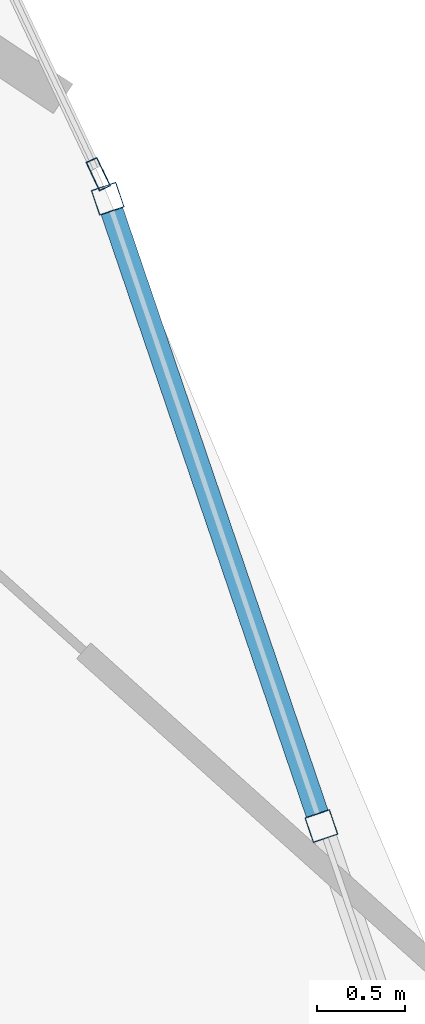
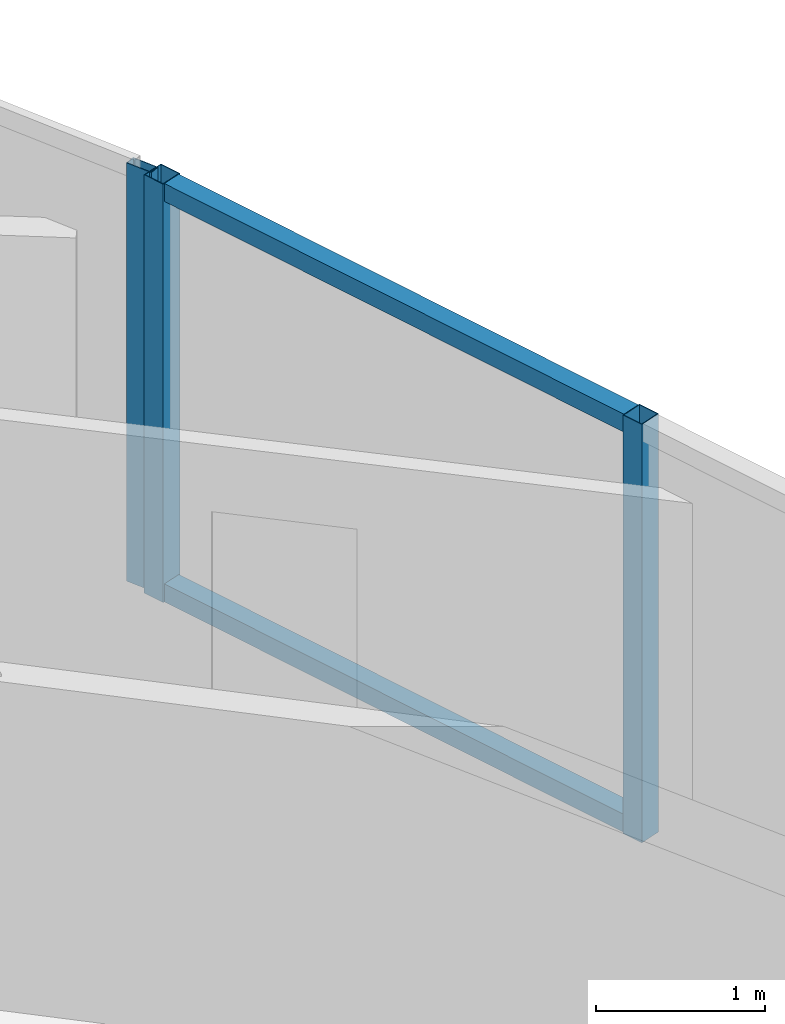
# One storey, part 15 of 33: 5 members, 2 elements without a shape of their own.
"""IFC4 building model written with IfcOpenShell, lengths in metres."""

import ifcopenshell
import ifcopenshell.guid

model = None  # the IFC model being written
_history = None  # IfcOwnerHistory: only IFC2X3 demands one
_inside = {}  # id of a spatial element -> (the spatial element, [elements in it])
_under = {}  # id of a project, library or spatial element -> (it, [spatial elements below it])
_declared = {}  # id of a project -> (the project, [libraries it declares])
_typed = {}  # id of a type object -> (the type object, [elements of that type])
_made_of = {}  # id of a material, layer set ... -> (it, [elements and type objects made of it])


def new_model(schema):
    """Start an empty IFC model of exactly this schema.

    Asked for "IFC4X3", IfcOpenShell would pick the latest addendum, in which some entities
    have other attributes; the version numbers below select the first issue.
    IFC2X3 requires an IfcOwnerHistory on every rooted entity: one is made here for all.
    """
    global model, _history
    if schema == "IFC4X3":
        model = ifcopenshell.file(schema_version=(4, 3, 0, 0))
    else:
        model = ifcopenshell.file(schema=schema)
    _inside.clear()
    _under.clear()
    _declared.clear()
    _typed.clear()
    _made_of.clear()
    _history = None
    if model.schema == "IFC2X3":
        org = make("IfcOrganization", Name="unknown")
        user = make(
            "IfcPersonAndOrganization",
            ThePerson=make("IfcPerson", FamilyName="unknown"),
            TheOrganization=org,
        )
        app = make(
            "IfcApplication",
            ApplicationDeveloper=org,
            Version="unknown",
            ApplicationFullName="unknown",
            ApplicationIdentifier="unknown",
        )
        _history = make(
            "IfcOwnerHistory",
            OwningUser=user,
            OwningApplication=app,
            ChangeAction="ADDED",
            CreationDate=0,
        )
    return model


def make(cls, **values):
    """One entity of the class cls with the attributes given. An attribute that is None is left unset."""
    return model.create_entity(
        cls, **{name: value for name, value in values.items() if value is not None}
    )


def rooted(cls, **values):
    """An entity with a GlobalId (a new one), such as an element, a storey or a relation."""
    return make(cls, GlobalId=ifcopenshell.guid.new(), OwnerHistory=_history, **values)


def si_unit(unit_type, name, prefix=None):
    """IfcSIUnit, for example si_unit("LENGTHUNIT", "METRE", prefix="MILLI")."""
    return make("IfcSIUnit", UnitType=unit_type, Prefix=prefix, Name=name)


def assignment(units):
    """IfcUnitAssignment: the units of a project."""
    return None if units is None else make("IfcUnitAssignment", Units=units)


def point(xyz):
    """IfcCartesianPoint."""
    return None if xyz is None else make("IfcCartesianPoint", Coordinates=xyz)


def direction(xyz):
    """IfcDirection."""
    return None if xyz is None else make("IfcDirection", DirectionRatios=xyz)


def frame(location, z_axis=None, x_axis=None):
    """IfcAxis2Placement3D, a coordinate frame: its origin and axes. An axis left out is left unset."""
    return make(
        "IfcAxis2Placement3D",
        Location=point(location),
        Axis=direction(z_axis),
        RefDirection=direction(x_axis),
    )


def frame_2d(location, x_axis=None):
    """IfcAxis2Placement2D, a coordinate frame in the plane: its origin and x axis."""
    return make(
        "IfcAxis2Placement2D", Location=point(location), RefDirection=direction(x_axis)
    )


def origin():
    """The frame at (0, 0, 0) with its axes left unset."""
    return frame((0.0, 0.0, 0.0))


def origin_2d():
    """The frame at (0, 0) in the plane with its x axis left unset."""
    return frame_2d((0.0, 0.0))


def place(relative_to, where):
    """IfcLocalPlacement: puts the frame where relative to a parent placement (None: the world)."""
    return make(
        "IfcLocalPlacement", PlacementRelTo=relative_to, RelativePlacement=where
    )


def context(
    kind, dimensions, precision=None, world=None, true_north=None, identifier=None
):
    """IfcGeometricRepresentationContext, for example the 3D "Model" context."""
    return make(
        "IfcGeometricRepresentationContext",
        ContextIdentifier=identifier,
        ContextType=kind,
        CoordinateSpaceDimension=dimensions,
        Precision=precision,
        WorldCoordinateSystem=world,
        TrueNorth=true_north,
    )


def subcontext(parent, identifier, kind, view, scale=None):
    """IfcGeometricRepresentationSubContext, for example "Body" below "Model"."""
    return make(
        "IfcGeometricRepresentationSubContext",
        ContextIdentifier=identifier,
        ContextType=kind,
        ParentContext=parent,
        TargetScale=scale,
        TargetView=view,
    )


def project(units=None, contexts=None):
    """IfcProject with its units and contexts."""
    return rooted(
        "IfcProject",
        Name="project",
        RepresentationContexts=contexts,
        UnitsInContext=assignment(units),
    )


def spatial(cls, under=None, at=None, **own):
    """A site, building, storey or space (cls), placed at a placement, below another one or the project."""
    s = rooted(cls, ObjectPlacement=at, **own)
    if under is not None:
        _under.setdefault(under.id(), (under, []))[1].append(s)
    return s


def profile(cls, at=None, kind="AREA", **sizes):
    """A parametric profile (cls). Its sizes go by their IFC names, for example OverallWidth=200.0."""
    return make(cls, ProfileType=kind, Position=at, **sizes)


def hollow_rectangle(**sizes):
    """IfcRectangleHollowProfileDef."""
    return profile("IfcRectangleHollowProfileDef", **sizes)


def extrude(swept, where, along, depth):
    """IfcExtrudedAreaSolid: the profile swept, set in the frame where, extruded along a direction by depth."""
    return make(
        "IfcExtrudedAreaSolid",
        SweptArea=swept,
        Position=where,
        ExtrudedDirection=direction(along),
        Depth=depth,
    )


def shape(context_of_items, identifier, shape_type, items):
    """IfcShapeRepresentation: the items that make up one representation, for example the "Body"."""
    return make(
        "IfcShapeRepresentation",
        ContextOfItems=context_of_items,
        RepresentationIdentifier=identifier,
        RepresentationType=shape_type,
        Items=items,
    )


def material(Name=None, Category=None):
    """IfcMaterial."""
    return make("IfcMaterial", Name=Name, Category=Category)


def layer(
    of_material, thickness, ventilated=None, Name=None, Category=None, Priority=None
):
    """IfcMaterialLayer: one layer of a wall or slab, of a material (None: an air gap)."""
    return make(
        "IfcMaterialLayer",
        Material=of_material,
        LayerThickness=thickness,
        IsVentilated=ventilated,
        Name=Name,
        Category=Category,
        Priority=Priority,
    )


def layer_set(layers, Name=None):
    """IfcMaterialLayerSet."""
    return make("IfcMaterialLayerSet", MaterialLayers=layers, LayerSetName=Name)


def material_profile(
    of_material, cross_section, Name=None, Category=None, Priority=None
):
    """IfcMaterialProfile: a cross section and its material."""
    return make(
        "IfcMaterialProfile",
        Name=Name,
        Material=of_material,
        Profile=cross_section,
        Priority=Priority,
        Category=Category,
    )


def profile_set(profiles, Name=None, composite=None):
    """IfcMaterialProfileSet."""
    return make(
        "IfcMaterialProfileSet",
        Name=Name,
        MaterialProfiles=profiles,
        CompositeProfile=composite,
    )


def made_of(thing, what):
    """Note that an element or type object is made of a material, layer set ...; save() writes the relation."""
    if what is not None:
        _made_of.setdefault(what.id(), (what, []))[1].append(thing)
    return thing


def type_object(cls, material=None, **own):
    """A type object (cls), such as IfcWallType, which elements share."""
    return made_of(rooted(cls, **own), material)


def element(
    cls,
    number,
    at=None,
    inside=None,
    cuts=None,
    type_object=None,
    material=None,
    context=None,
    identifier="Body",
    shape_type=None,
    held_by="IfcProductDefinitionShape",
    body=None,
    shapes=None,
    **own,
):
    """One element of the class cls, such as IfcWall. Its Tag is "e" and its number.

    at: its placement. inside: the storey or other place that contains it. cuts: it is an
    opening in that element (IfcRelVoidsElement). A single representation is given by context,
    identifier, shape_type and body (its items); several are given by shapes. held_by: the class
    of the entity that holds the representations. save() writes the other relations.
    """
    e = rooted(cls, Tag="e%d" % number, ObjectPlacement=at, **own)
    if body is not None:
        shapes = [shape(context, identifier, shape_type, body)]
    if shapes is not None:
        e.Representation = make(held_by, Representations=shapes)
    if inside is not None:
        _inside.setdefault(inside.id(), (inside, []))[1].append(e)
    if cuts is not None:
        rooted(
            "IfcRelVoidsElement", RelatingBuildingElement=cuts, RelatedOpeningElement=e
        )
    if type_object is not None:
        _typed.setdefault(type_object.id(), (type_object, []))[1].append(e)
    return made_of(e, material)


def aggregate(whole, parts):
    """IfcRelAggregates: a whole, such as a stair, and the parts it consists of."""
    return rooted("IfcRelAggregates", RelatingObject=whole, RelatedObjects=parts)


def save(model, path):
    """Write the relations noted so far, then the file.

    IfcRelAggregates (storeys below a building ...), IfcRelContainedInSpatialStructure (elements
    in a storey), IfcRelDefinesByType, IfcRelAssociatesMaterial and IfcRelDeclares: one each for
    every whole, place, type object, material and project.
    """
    for whole, parts in _under.values():
        aggregate(whole, parts)
    for where, things in _inside.values():
        rooted(
            "IfcRelContainedInSpatialStructure",
            RelatedElements=things,
            RelatingStructure=where,
        )
    for kind, things in _typed.values():
        rooted("IfcRelDefinesByType", RelatedObjects=things, RelatingType=kind)
    for what, things in _made_of.values():
        rooted("IfcRelAssociatesMaterial", RelatedObjects=things, RelatingMaterial=what)
    for by, libraries in _declared.values():
        rooted("IfcRelDeclares", RelatingContext=by, RelatedDefinitions=libraries)
    model.write(path)


model = new_model("IFC4")

# Units and contexts
model_context = context("Model", 3, precision=1e-05, world=origin(), true_north=direction((0.0, 1.0)))
body_context = subcontext(model_context, "Body", "Model", "MODEL_VIEW")
ifc_project = project(units=[si_unit("LENGTHUNIT", "METRE"), si_unit("AREAUNIT", "SQUARE_METRE"), si_unit("VOLUMEUNIT", "CUBIC_METRE"), si_unit("PLANEANGLEUNIT", "RADIAN"), si_unit("MASSUNIT", "GRAM", prefix="KILO")], contexts=[model_context])

# Site, building, storey
site_placement = place(None, origin())
site = spatial("IfcSite", under=ifc_project, at=site_placement, CompositionType="ELEMENT")
building_placement = place(site_placement, origin())
building = spatial("IfcBuilding", under=site, at=building_placement, Name="Orvanel Arch Residences", CompositionType="ELEMENT")
storey_placement = place(building_placement, frame((0.0, 0.0, 93.949951171875)))
storey = spatial("IfcBuildingStorey", under=building, at=storey_placement, Name="L26", CompositionType="ELEMENT", Elevation=93.949951171875)

# Curtain wall, members
ifc_material = material(Name="Bronze-anodised aluminium AA6063-T6", Category="aluminium")
ifc_layer_1 = layer(ifc_material, 0.18994140625)
ifc_layer_set_1 = layer_set([ifc_layer_1], Name="Bronze-anodised aluminium AA6063-T6")
curtain_wall_type_1 = type_object("IfcCurtainWallType", Name="CW5-CRN-SYS", PredefinedType="NOTDEFINED", material=ifc_layer_set_1)
curtain_wall_1_placement = place(storey_placement, origin())
curtain_wall_1 = element("IfcCurtainWall", 1, at=curtain_wall_1_placement, inside=storey, type_object=curtain_wall_type_1, Name="L26 CW5-CRN-SYS Unitised Curtain Wall", PredefinedType="NOTDEFINED")
ifc_material_profile_1 = material_profile(ifc_material, hollow_rectangle(XDim=0.14990234375, YDim=0.14990234375, WallThickness=0.0048828125, at=origin_2d()), Name="ALU150x150x5")
ifc_profile_set_1 = profile_set([ifc_material_profile_1], Name="Bronze-anodised aluminium AA6063-T6")
member_type_1 = type_object("IfcMemberType", Name="MUL-150x150", PredefinedType="MULLION", material=ifc_profile_set_1)
member_1_placement = place(storey_placement, frame((58.85888671875, 10.135498046875, 0.0), z_axis=(0.0, 0.0, 1.0), x_axis=(-0.946590672949, -0.322437742651, 0.0)))
member_1 = element("IfcMember", 2, at=member_1_placement, type_object=member_type_1, Name="CW-S5 mullion 2", PredefinedType="MULLION", context=body_context, shape_type="SweptSolid", body=[
    extrude(hollow_rectangle(XDim=0.14990234375, YDim=0.14990234375, WallThickness=0.0048828125, at=origin_2d()), origin(), (0.0, 0.0, 1.0), 3.02001953125),
])
member_2_placement = place(storey_placement, frame((57.646240234375, 13.696044921875, 0.0), z_axis=(0.0, 0.0, 1.0), x_axis=(-0.946590672949, -0.322437742651, 0.0)))
member_2 = element("IfcMember", 3, at=member_2_placement, type_object=member_type_1, Name="CW-S5 mullion 3", PredefinedType="MULLION", context=body_context, shape_type="SweptSolid", body=[
    extrude(hollow_rectangle(XDim=0.14990234375, YDim=0.14990234375, WallThickness=0.0048828125, at=origin_2d()), origin(), (0.0, 0.0, 1.0), 3.02001953125),
])

# Curtain wall, member
ifc_layer_2 = layer(ifc_material, 0.179931640625)
ifc_layer_set_2 = layer_set([ifc_layer_2], Name="Bronze-anodised aluminium AA6063-T6")
curtain_wall_type_2 = type_object("IfcCurtainWallType", Name="CW2-LOW-SYS", PredefinedType="NOTDEFINED", material=ifc_layer_set_2)
curtain_wall_2_placement = place(storey_placement, origin())
curtain_wall_2 = element("IfcCurtainWall", 4, at=curtain_wall_2_placement, inside=storey, type_object=curtain_wall_type_2, Name="L26 CW2-LOW-SYS Unitised Curtain Wall", PredefinedType="NOTDEFINED")
ifc_material_profile_2 = material_profile(ifc_material, hollow_rectangle(XDim=0.070068359375, YDim=0.179931640625, WallThickness=0.00439453125, at=origin_2d()), Name="ALU180x70x4.5")
ifc_profile_set_2 = profile_set([ifc_material_profile_2], Name="Bronze-anodised aluminium AA6063-T6")
member_type_2 = type_object("IfcMemberType", Name="MUL-180x70", PredefinedType="MULLION", material=ifc_profile_set_2)
member_3_placement = place(storey_placement, frame((57.592041015625, 13.835693359375, 0.0), z_axis=(0.0, 0.0, 1.0), x_axis=(-0.904168484488, -0.427176019527, 0.0)))
member_3 = element("IfcMember", 5, at=member_3_placement, type_object=member_type_2, Name="CW-S2 mullion 1", PredefinedType="MULLION", context=body_context, shape_type="SweptSolid", body=[
    extrude(hollow_rectangle(XDim=0.070068359375, YDim=0.179931640625, WallThickness=0.00439453125, at=origin_2d()), origin(), (0.0, 0.0, 1.0), 3.02001953125),
])
aggregate(curtain_wall_2, [member_3])

# Member
ifc_material_profile_3 = material_profile(ifc_material, hollow_rectangle(XDim=0.1298828125, YDim=0.1298828125, WallThickness=0.00439453125, at=origin_2d()), Name="ALU130x130x4.5")
ifc_profile_set_3 = profile_set([ifc_material_profile_3], Name="Bronze-anodised aluminium AA6063-T6")
member_type_3 = type_object("IfcMemberType", Name="TRN-130x130", PredefinedType="USERDEFINED", material=ifc_profile_set_3)
member_4_placement = place(storey_placement, frame((58.834716796875, 10.20654296875, 0.06494140625), z_axis=(-0.322406874767, 0.946601186933, 0.0), x_axis=(-0.946601186933, -0.322406874767, 0.0)))
member_4 = element("IfcMember", 6, at=member_4_placement, type_object=member_type_3, Name="CW-S5 transom 2.1", ObjectType="TRANSOM", PredefinedType="USERDEFINED", context=body_context, shape_type="SweptSolid", body=[
    extrude(hollow_rectangle(XDim=0.1298828125, YDim=0.1298828125, WallThickness=0.00439453125, at=origin_2d()), origin(), (0.0, 0.0, 1.0), 3.611328125),
])

member_5_placement = place(storey_placement, frame((58.834716796875, 10.20654296875, 2.955078125), z_axis=(-0.322406874767, 0.946601186933, 0.0), x_axis=(-0.946601186933, -0.322406874767, 0.0)))
member_5 = element("IfcMember", 7, at=member_5_placement, type_object=member_type_3, Name="CW-S5 transom 2.2", ObjectType="TRANSOM", PredefinedType="USERDEFINED", context=body_context, shape_type="SweptSolid", body=[
    extrude(hollow_rectangle(XDim=0.1298828125, YDim=0.1298828125, WallThickness=0.00439453125, at=origin_2d()), origin(), (0.0, 0.0, 1.0), 3.611328125),
])

aggregate(curtain_wall_1, [member_1, member_2, member_4, member_5])

save(model, "model.ifc")
